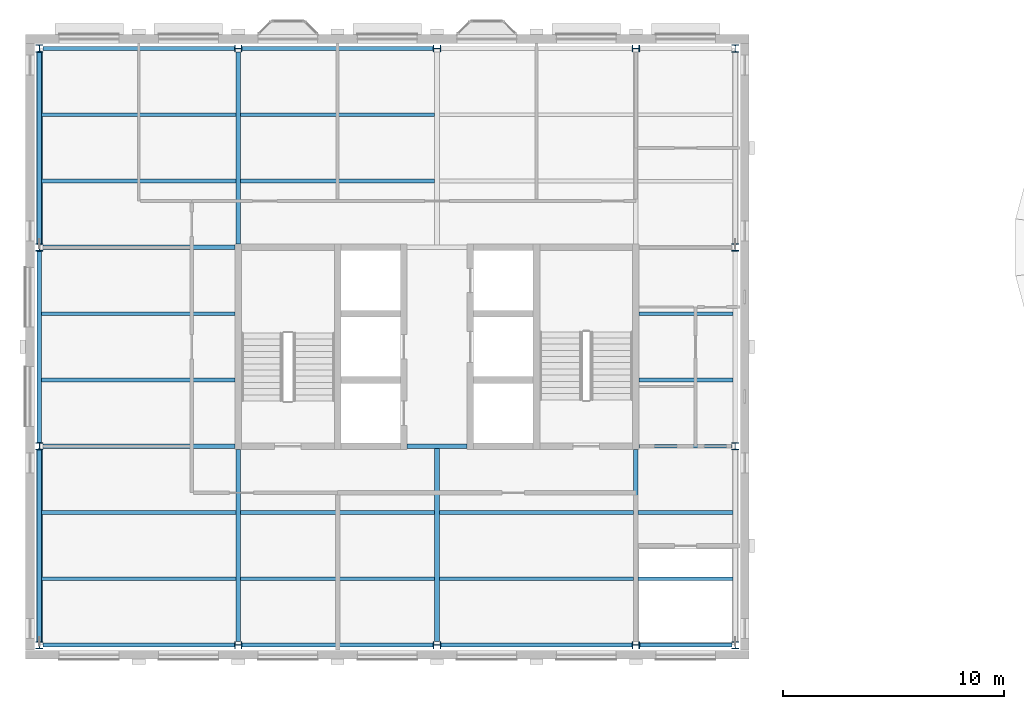
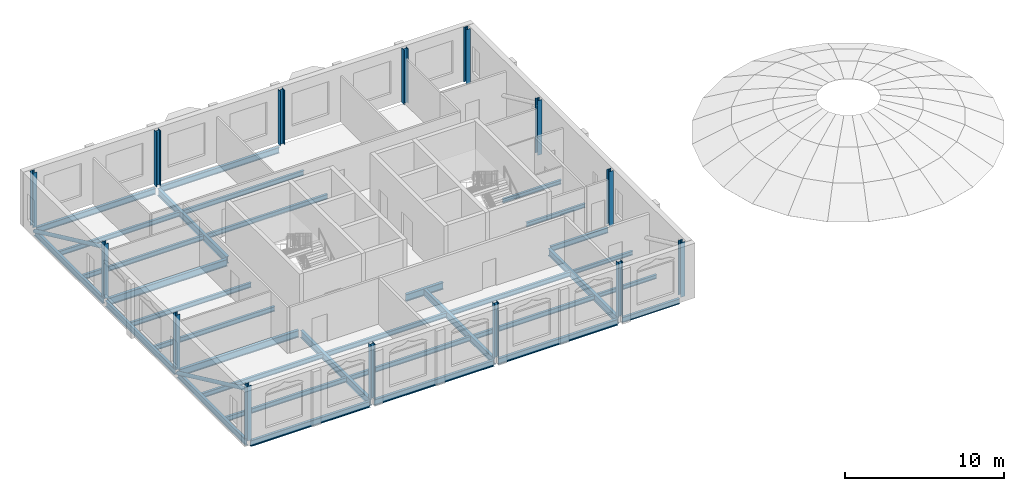
# One storey, part 1 of 11: 33 beams, 14 columns, 2 members.
"""IFC4 building model written with IfcOpenShell, lengths in metres."""

from ifc_helpers import new_model, si_unit, direction, frame, origin, origin_2d, place, context, subcontext, project, spatial, hollow_circle, i_section, extrude, material, material_profile, profile_set, type_object, element, save


model = new_model("IFC4")

# Units and contexts
model_context = context("Model", 3, precision=1e-05, world=origin(), true_north=direction((0.0, 1.0)))
body_context = subcontext(model_context, "Body", "Model", "MODEL_VIEW")
ifc_project = project(units=[si_unit("LENGTHUNIT", "METRE"), si_unit("AREAUNIT", "SQUARE_METRE"), si_unit("VOLUMEUNIT", "CUBIC_METRE"), si_unit("PLANEANGLEUNIT", "RADIAN"), si_unit("MASSUNIT", "GRAM", prefix="KILO")], contexts=[model_context])

# Site, building, storey
site_placement = place(None, origin())
site = spatial("IfcSite", under=ifc_project, at=site_placement, CompositionType="ELEMENT")
building_placement = place(site_placement, origin())
building = spatial("IfcBuilding", under=site, at=building_placement, Name="Hortulan Conservatory and Botanical Research Centre", CompositionType="ELEMENT")
storey_placement = place(building_placement, frame((0.0, 0.0, 27.60009765625)))
storey = spatial("IfcBuildingStorey", under=building, at=storey_placement, Name="L06", CompositionType="ELEMENT", Elevation=27.60009765625)

# Columns
ifc_material_1 = material(Name="Steel Grade 300PLUS (AS/NZS 3679.1, 280 MPa minimum yield)", Category="steel")
ifc_material_profile_1 = material_profile(ifc_material_1, i_section(OverallWidth=0.31103515625, OverallDepth=0.326904296875, WebThickness=0.015625, FlangeThickness=0.02490234375, FilletRadius=0.0166015625, at=origin_2d()), Name="310UC158")
ifc_profile_set_1 = profile_set([ifc_material_profile_1], Name="Steel Grade 300PLUS (AS/NZS 3679.1, 280 MPa minimum yield)")
column_type = type_object("IfcColumnType", Name="Tower Column 310UC158", PredefinedType="COLUMN", material=ifc_profile_set_1)
for number, where, z_axis, x_axis, name in (
    (1, (0.0, 0.0, 0.0), (0.0, 0.0, 1.0), (1.0, 0.0, 0.0), "310UC158 column"),
    (2, (0.0, 9.0, 0.0), (0.0, 0.0, 1.0), (1.0, 0.0, 0.0), "310UC158 column"),
    (3, (0.0, 18.0, 0.0), (0.0, 0.0, 1.0), (1.0, 0.0, 0.0), "310UC158 column"),
    (4, (0.0, 27.0, 0.0), (0.0, 0.0, 1.0), (1.0, 0.0, 0.0), "310UC158 column"),
    (5, (9.0, 0.0, 0.0), (0.0, 0.0, 1.0), (0.0, 1.0, 0.0), "310UC158 column"),
    (6, (9.0, 27.0, 0.0), (0.0, 0.0, 1.0), (0.0, 1.0, 0.0), "310UC158 column"),
    (7, (18.0, 0.0, 0.0), (0.0, 0.0, 1.0), (0.0, 1.0, 0.0), "310UC158 column"),
    (8, (18.0, 27.0, 0.0), (0.0, 0.0, 1.0), (0.0, 1.0, 0.0), "310UC158 column"),
    (9, (27.0, 0.0, 0.0), (0.0, 0.0, 1.0), (0.0, 1.0, 0.0), "310UC158 column"),
    (10, (27.0, 27.0, 0.0), (0.0, 0.0, 1.0), (0.0, 1.0, 0.0), "310UC158 column"),
    (11, (31.5, 0.0, 0.0), (0.0, 0.0, 1.0), (1.0, 0.0, 0.0), "310UC158 column"),
    (12, (31.5, 9.0, 0.0), (0.0, 0.0, 1.0), (1.0, 0.0, 0.0), "310UC158 column"),
    (13, (31.5, 18.0, 0.0), (0.0, 0.0, 1.0), (1.0, 0.0, 0.0), "310UC158 column"),
    (14, (31.5, 27.0, 0.0), (0.0, 0.0, 1.0), (1.0, 0.0, 0.0), "310UC158 column"),
):
    element("IfcColumn", number, at=place(storey_placement, frame(where, z_axis=z_axis, x_axis=x_axis)), inside=storey, type_object=column_type, Name=name, PredefinedType="COLUMN", context=body_context, shape_type="SweptSolid", body=[
        extrude(i_section(OverallWidth=0.31103515625, OverallDepth=0.326904296875, WebThickness=0.015625, FlangeThickness=0.02490234375, FilletRadius=0.0166015625, at=origin_2d()), origin(), (0.0, 0.0, 1.0), 4.199951171875),
    ])

# Members
ifc_material_2 = material(Name="Steel Grade C350L0 (350 MPa, AS/NZS 1163)", Category="steel")
ifc_material_profile_2 = material_profile(ifc_material_2, hollow_circle(Radius=0.136474609375, WallThickness=0.00927734375, at=origin_2d()), Name="273.1x9.3CHS")
ifc_profile_set_2 = profile_set([ifc_material_profile_2], Name="Steel Grade C350L0 (350 MPa, AS/NZS 1163)")
member_type = type_object("IfcMemberType", Name="Brace 273.1x9.3CHS", PredefinedType="BRACE", material=ifc_profile_set_2)
for number, where, z_axis, x_axis, name in (
    (15, (0.0, 8.83642578125, -0.28369140625), (0.0, -0.906181836611, 0.422888258286), (1.0, 0.0, 0.0), "273.1x9.3CHS brace"),
    (16, (0.0, 26.83642578125, -0.28369140625), (0.0, -0.906181836611, 0.422888258286), (1.0, 0.0, 0.0), "273.1x9.3CHS brace"),
):
    element("IfcMember", number, at=place(storey_placement, frame(where, z_axis=z_axis, x_axis=x_axis)), inside=storey, type_object=member_type, Name=name, PredefinedType="BRACE", context=body_context, shape_type="SweptSolid", body=[
        extrude(hollow_circle(Radius=0.136474609375, WallThickness=0.00927734375, at=origin_2d()), origin(), (0.0, 0.0, 1.0), 9.57080078125),
    ])

# Beams
ifc_material_profile_3 = material_profile(ifc_material_1, i_section(OverallWidth=0.177978515625, OverallDepth=0.403076171875, WebThickness=0.007568359375, FlangeThickness=0.010986328125, FilletRadius=0.011474609375, at=origin_2d()), Name="410UB53.7")
ifc_profile_set_3 = profile_set([ifc_material_profile_3], Name="Steel Grade 300PLUS (AS/NZS 3679.1, 280 MPa minimum yield)")
beam_type_1 = type_object("IfcBeamType", Name="Primary Beam 410UB53.7", PredefinedType="BEAM", material=ifc_profile_set_3)
beam_1_placement = place(storey_placement, frame((27.16357421875, 0.0, -0.33154296875), z_axis=(1.0, 0.0, 0.0), x_axis=(0.0, 1.0, 0.0)))
element("IfcBeam", 17, at=beam_1_placement, inside=storey, type_object=beam_type_1, Name="410UB53.7 girder", PredefinedType="BEAM", context=body_context, shape_type="SweptSolid", body=[
    extrude(i_section(OverallWidth=0.177978515625, OverallDepth=0.403076171875, WebThickness=0.007568359375, FlangeThickness=0.010986328125, FilletRadius=0.011474609375, at=origin_2d()), origin(), (0.0, 0.0, 1.0), 4.180908203125),
])
beam_2_placement = place(storey_placement, frame((27.14990234375, 9.0, -0.33154296875), z_axis=(1.0, 0.0, 0.0), x_axis=(0.0, 1.0, 0.0)))
element("IfcBeam", 18, at=beam_2_placement, inside=storey, type_object=beam_type_1, Name="410UB53.7 girder", PredefinedType="BEAM", context=body_context, shape_type="SweptSolid", body=[
    extrude(i_section(OverallWidth=0.177978515625, OverallDepth=0.403076171875, WebThickness=0.007568359375, FlangeThickness=0.010986328125, FilletRadius=0.011474609375, at=origin_2d()), origin(), (0.0, 0.0, 1.0), 4.194580078125),
])
ifc_material_profile_4 = material_profile(ifc_material_1, i_section(OverallWidth=0.19091796875, OverallDepth=0.4599609375, WebThickness=0.010009765625, FlangeThickness=0.01611328125, FilletRadius=0.011474609375, at=origin_2d()), Name="460UB82.1")
ifc_profile_set_4 = profile_set([ifc_material_profile_4], Name="Steel Grade 300PLUS (AS/NZS 3679.1, 280 MPa minimum yield)")
beam_type_2 = type_object("IfcBeamType", Name="Primary Beam 460UB82.1", PredefinedType="BEAM", material=ifc_profile_set_4)
beam_3_placement = place(storey_placement, frame((0.0, 0.16357421875, -0.360107421875), z_axis=(0.0, 1.0, 0.0), x_axis=(-1.0, 0.0, 0.0)))
element("IfcBeam", 19, at=beam_3_placement, inside=storey, type_object=beam_type_2, Name="460UB82.1 girder", PredefinedType="BEAM", context=body_context, shape_type="SweptSolid", body=[
    extrude(i_section(OverallWidth=0.19091796875, OverallDepth=0.4599609375, WebThickness=0.010009765625, FlangeThickness=0.01611328125, FilletRadius=0.011474609375, at=origin_2d()), origin(), (0.0, 0.0, 1.0), 8.6728515625),
])
beam_4_placement = place(storey_placement, frame((0.155517578125, 0.0, -0.360107421875), z_axis=(1.0, 0.0, 0.0), x_axis=(0.0, 1.0, 0.0)))
element("IfcBeam", 20, at=beam_4_placement, inside=storey, type_object=beam_type_2, Name="460UB82.1 girder", PredefinedType="BEAM", context=body_context, shape_type="SweptSolid", body=[
    extrude(i_section(OverallWidth=0.19091796875, OverallDepth=0.4599609375, WebThickness=0.010009765625, FlangeThickness=0.01611328125, FilletRadius=0.011474609375, at=origin_2d()), origin(), (0.0, 0.0, 1.0), 8.680908203125),
])
for number, where, z_axis, x_axis, name in (
    (21, (0.0, 9.16357421875, -0.360107421875), (0.0, 1.0, 0.0), (-1.0, 0.0, 0.0), "460UB82.1 girder"),
    (22, (0.0, 18.16357421875, -0.360107421875), (0.0, 1.0, 0.0), (-1.0, 0.0, 0.0), "460UB82.1 girder"),
):
    element("IfcBeam", number, at=place(storey_placement, frame(where, z_axis=z_axis, x_axis=x_axis)), inside=storey, type_object=beam_type_2, Name=name, PredefinedType="BEAM", context=body_context, shape_type="SweptSolid", body=[
        extrude(i_section(OverallWidth=0.19091796875, OverallDepth=0.4599609375, WebThickness=0.010009765625, FlangeThickness=0.01611328125, FilletRadius=0.011474609375, at=origin_2d()), origin(), (0.0, 0.0, 1.0), 8.6728515625),
    ])
beam_5_placement = place(storey_placement, frame((0.155517578125, 27.0, -0.360107421875), z_axis=(1.0, 0.0, 0.0), x_axis=(0.0, 1.0, 0.0)))
element("IfcBeam", 23, at=beam_5_placement, inside=storey, type_object=beam_type_2, Name="460UB82.1 girder", PredefinedType="BEAM", context=body_context, shape_type="SweptSolid", body=[
    extrude(i_section(OverallWidth=0.19091796875, OverallDepth=0.4599609375, WebThickness=0.010009765625, FlangeThickness=0.01611328125, FilletRadius=0.011474609375, at=origin_2d()), origin(), (0.0, 0.0, 1.0), 8.680908203125),
])
for number, where, z_axis, x_axis, name in (
    (24, (9.16357421875, 0.0, -0.360107421875), (1.0, 0.0, 0.0), (0.0, 1.0, 0.0), "460UB82.1 girder"),
    (25, (9.16357421875, 27.0, -0.360107421875), (1.0, 0.0, 0.0), (0.0, 1.0, 0.0), "460UB82.1 girder"),
    (26, (18.16357421875, 0.0, -0.360107421875), (1.0, 0.0, 0.0), (0.0, 1.0, 0.0), "460UB82.1 girder"),
):
    element("IfcBeam", number, at=place(storey_placement, frame(where, z_axis=z_axis, x_axis=x_axis)), inside=storey, type_object=beam_type_2, Name=name, PredefinedType="BEAM", context=body_context, shape_type="SweptSolid", body=[
        extrude(i_section(OverallWidth=0.19091796875, OverallDepth=0.4599609375, WebThickness=0.010009765625, FlangeThickness=0.01611328125, FilletRadius=0.011474609375, at=origin_2d()), origin(), (0.0, 0.0, 1.0), 8.6728515625),
    ])
ifc_material_profile_5 = material_profile(ifc_material_1, i_section(OverallWidth=0.208984375, OverallDepth=0.532958984375, WebThickness=0.01025390625, FlangeThickness=0.015625, FilletRadius=0.013916015625, at=origin_2d()), Name="530UB92.4")
ifc_profile_set_5 = profile_set([ifc_material_profile_5], Name="Steel Grade 300PLUS (AS/NZS 3679.1, 280 MPa minimum yield)")
beam_type_3 = type_object("IfcBeamType", Name="Primary Beam 530UB92.4", PredefinedType="BEAM", material=ifc_profile_set_5)
for number, where, z_axis, x_axis, name in (
    (27, (0.155517578125, 9.0, -0.396484375), (1.0, 0.0, 0.0), (0.0, 1.0, 0.0), "530UB92.4 girder"),
    (28, (0.155517578125, 18.0, -0.396484375), (1.0, 0.0, 0.0), (0.0, 1.0, 0.0), "530UB92.4 girder"),
    (29, (9.0, 0.155517578125, -0.396484375), (0.0, 1.0, 0.0), (-1.0, 0.0, 0.0), "530UB92.4 girder"),
    (30, (9.0, 18.14990234375, -0.396484375), (0.0, 1.0, 0.0), (-1.0, 0.0, 0.0), "530UB92.4 girder"),
):
    element("IfcBeam", number, at=place(storey_placement, frame(where, z_axis=z_axis, x_axis=x_axis)), inside=storey, type_object=beam_type_3, Name=name, PredefinedType="BEAM", context=body_context, shape_type="SweptSolid", body=[
        extrude(i_section(OverallWidth=0.208984375, OverallDepth=0.532958984375, WebThickness=0.01025390625, FlangeThickness=0.015625, FilletRadius=0.013916015625, at=origin_2d()), origin(), (0.0, 0.0, 1.0), 8.694580078125),
    ])
beam_6_placement = place(storey_placement, frame((16.64990234375, 9.0, -0.396484375), z_axis=(1.0, 0.0, 0.0), x_axis=(0.0, 1.0, 0.0)))
element("IfcBeam", 31, at=beam_6_placement, inside=storey, type_object=beam_type_3, Name="530UB92.4 girder", PredefinedType="BEAM", context=body_context, shape_type="SweptSolid", body=[
    extrude(i_section(OverallWidth=0.208984375, OverallDepth=0.532958984375, WebThickness=0.01025390625, FlangeThickness=0.015625, FilletRadius=0.013916015625, at=origin_2d()), origin(), (0.0, 0.0, 1.0), 2.7001953125),
])
beam_7_placement = place(storey_placement, frame((18.0, 0.155517578125, -0.396484375), z_axis=(0.0, 1.0, 0.0), x_axis=(-1.0, 0.0, 0.0)))
element("IfcBeam", 32, at=beam_7_placement, inside=storey, type_object=beam_type_3, Name="530UB92.4 girder", PredefinedType="BEAM", context=body_context, shape_type="SweptSolid", body=[
    extrude(i_section(OverallWidth=0.208984375, OverallDepth=0.532958984375, WebThickness=0.01025390625, FlangeThickness=0.015625, FilletRadius=0.013916015625, at=origin_2d()), origin(), (0.0, 0.0, 1.0), 8.844482421875),
])
beam_8_placement = place(storey_placement, frame((27.0, 0.155517578125, -0.396484375), z_axis=(0.0, 1.0, 0.0), x_axis=(-1.0, 0.0, 0.0)))
element("IfcBeam", 33, at=beam_8_placement, inside=storey, type_object=beam_type_3, Name="530UB92.4 girder", PredefinedType="BEAM", context=body_context, shape_type="SweptSolid", body=[
    extrude(i_section(OverallWidth=0.208984375, OverallDepth=0.532958984375, WebThickness=0.01025390625, FlangeThickness=0.015625, FilletRadius=0.013916015625, at=origin_2d()), origin(), (0.0, 0.0, 1.0), 8.694580078125),
])
ifc_material_profile_6 = material_profile(ifc_material_1, i_section(OverallWidth=0.1650390625, OverallDepth=0.303955078125, WebThickness=0.006103515625, FlangeThickness=0.01025390625, FilletRadius=0.011474609375, at=origin_2d()), Name="310UB40.4")
ifc_profile_set_6 = profile_set([ifc_material_profile_6], Name="Steel Grade 300PLUS (AS/NZS 3679.1, 280 MPa minimum yield)")
beam_type_4 = type_object("IfcBeamType", Name="Secondary Beam 310UB40.4", PredefinedType="JOIST", material=ifc_profile_set_6)
for number, where, z_axis, x_axis, name in (
    (34, (27.1044921875, 3.0, -0.281982421875), (1.0, 0.0, 0.0), (0.0, 1.0, 0.0), "310UB40.4 secondary beam"),
    (35, (27.1044921875, 6.0, -0.281982421875), (1.0, 0.0, 0.0), (0.0, 1.0, 0.0), "310UB40.4 secondary beam"),
):
    element("IfcBeam", number, at=place(storey_placement, frame(where, z_axis=z_axis, x_axis=x_axis)), inside=storey, type_object=beam_type_4, Name=name, PredefinedType="JOIST", context=body_context, shape_type="SweptSolid", body=[
        extrude(i_section(OverallWidth=0.1650390625, OverallDepth=0.303955078125, WebThickness=0.006103515625, FlangeThickness=0.01025390625, FilletRadius=0.011474609375, at=origin_2d()), origin(), (0.0, 0.0, 1.0), 4.300048828125),
    ])
for number, where, z_axis, x_axis, name in (
    (36, (27.14990234375, 12.0, -0.281982421875), (1.0, 0.0, 0.0), (0.0, 1.0, 0.0), "310UB40.4 secondary beam"),
    (37, (27.14990234375, 15.0, -0.281982421875), (1.0, 0.0, 0.0), (0.0, 1.0, 0.0), "310UB40.4 secondary beam"),
):
    element("IfcBeam", number, at=place(storey_placement, frame(where, z_axis=z_axis, x_axis=x_axis)), inside=storey, type_object=beam_type_4, Name=name, PredefinedType="JOIST", context=body_context, shape_type="SweptSolid", body=[
        extrude(i_section(OverallWidth=0.1650390625, OverallDepth=0.303955078125, WebThickness=0.006103515625, FlangeThickness=0.01025390625, FilletRadius=0.011474609375, at=origin_2d()), origin(), (0.0, 0.0, 1.0), 4.254638671875),
    ])
ifc_material_profile_7 = material_profile(ifc_material_1, i_section(OverallWidth=0.172119140625, OverallDepth=0.35888671875, WebThickness=0.008056640625, FlangeThickness=0.012939453125, FilletRadius=0.011474609375, at=origin_2d()), Name="360UB56.7")
ifc_profile_set_7 = profile_set([ifc_material_profile_7], Name="Steel Grade 300PLUS (AS/NZS 3679.1, 280 MPa minimum yield)")
beam_type_5 = type_object("IfcBeamType", Name="Secondary Beam 360UB56.7", PredefinedType="JOIST", material=ifc_profile_set_7)
for number, where, z_axis, x_axis, name in (
    (38, (0.095458984375, 3.0, -0.3095703125), (1.0, 0.0, 0.0), (0.0, 1.0, 0.0), "360UB56.7 secondary beam"),
    (39, (0.095458984375, 6.0, -0.3095703125), (1.0, 0.0, 0.0), (0.0, 1.0, 0.0), "360UB56.7 secondary beam"),
):
    element("IfcBeam", number, at=place(storey_placement, frame(where, z_axis=z_axis, x_axis=x_axis)), inside=storey, type_object=beam_type_5, Name=name, PredefinedType="JOIST", context=body_context, shape_type="SweptSolid", body=[
        extrude(i_section(OverallWidth=0.172119140625, OverallDepth=0.35888671875, WebThickness=0.008056640625, FlangeThickness=0.012939453125, FilletRadius=0.011474609375, at=origin_2d()), origin(), (0.0, 0.0, 1.0), 8.800048828125),
    ])
for number, where, z_axis, x_axis, name in (
    (40, (0.095458984375, 12.0, -0.3095703125), (1.0, 0.0, 0.0), (0.0, 1.0, 0.0), "360UB56.7 secondary beam"),
    (41, (0.095458984375, 15.0, -0.3095703125), (1.0, 0.0, 0.0), (0.0, 1.0, 0.0), "360UB56.7 secondary beam"),
):
    element("IfcBeam", number, at=place(storey_placement, frame(where, z_axis=z_axis, x_axis=x_axis)), inside=storey, type_object=beam_type_5, Name=name, PredefinedType="JOIST", context=body_context, shape_type="SweptSolid", body=[
        extrude(i_section(OverallWidth=0.172119140625, OverallDepth=0.35888671875, WebThickness=0.008056640625, FlangeThickness=0.012939453125, FilletRadius=0.011474609375, at=origin_2d()), origin(), (0.0, 0.0, 1.0), 8.754638671875),
    ])
for number, where, z_axis, x_axis, name in (
    (42, (0.095458984375, 21.0, -0.3095703125), (1.0, 0.0, 0.0), (0.0, 1.0, 0.0), "360UB56.7 secondary beam"),
    (43, (0.095458984375, 24.0, -0.3095703125), (1.0, 0.0, 0.0), (0.0, 1.0, 0.0), "360UB56.7 secondary beam"),
):
    element("IfcBeam", number, at=place(storey_placement, frame(where, z_axis=z_axis, x_axis=x_axis)), inside=storey, type_object=beam_type_5, Name=name, PredefinedType="JOIST", context=body_context, shape_type="SweptSolid", body=[
        extrude(i_section(OverallWidth=0.172119140625, OverallDepth=0.35888671875, WebThickness=0.008056640625, FlangeThickness=0.012939453125, FilletRadius=0.011474609375, at=origin_2d()), origin(), (0.0, 0.0, 1.0), 8.800048828125),
    ])
for number, where, z_axis, x_axis, name in (
    (44, (9.1044921875, 3.0, -0.3095703125), (1.0, 0.0, 0.0), (0.0, 1.0, 0.0), "360UB56.7 secondary beam"),
    (45, (9.1044921875, 6.0, -0.3095703125), (1.0, 0.0, 0.0), (0.0, 1.0, 0.0), "360UB56.7 secondary beam"),
    (46, (9.1044921875, 21.0, -0.3095703125), (1.0, 0.0, 0.0), (0.0, 1.0, 0.0), "360UB56.7 secondary beam"),
    (47, (9.1044921875, 24.0, -0.3095703125), (1.0, 0.0, 0.0), (0.0, 1.0, 0.0), "360UB56.7 secondary beam"),
    (48, (18.1044921875, 3.0, -0.3095703125), (1.0, 0.0, 0.0), (0.0, 1.0, 0.0), "360UB56.7 secondary beam"),
    (49, (18.1044921875, 6.0, -0.3095703125), (1.0, 0.0, 0.0), (0.0, 1.0, 0.0), "360UB56.7 secondary beam"),
):
    element("IfcBeam", number, at=place(storey_placement, frame(where, z_axis=z_axis, x_axis=x_axis)), inside=storey, type_object=beam_type_5, Name=name, PredefinedType="JOIST", context=body_context, shape_type="SweptSolid", body=[
        extrude(i_section(OverallWidth=0.172119140625, OverallDepth=0.35888671875, WebThickness=0.008056640625, FlangeThickness=0.012939453125, FilletRadius=0.011474609375, at=origin_2d()), origin(), (0.0, 0.0, 1.0), 8.791015625),
    ])

save(model, "model.ifc")
